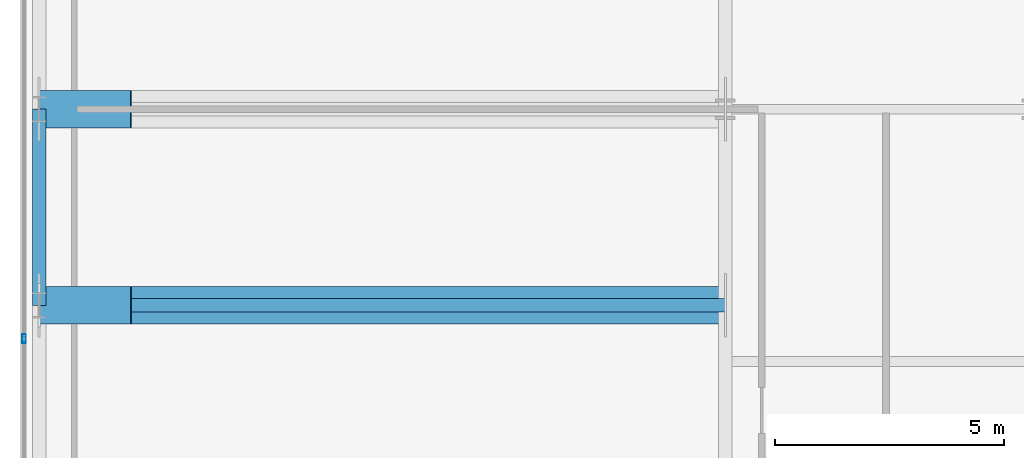
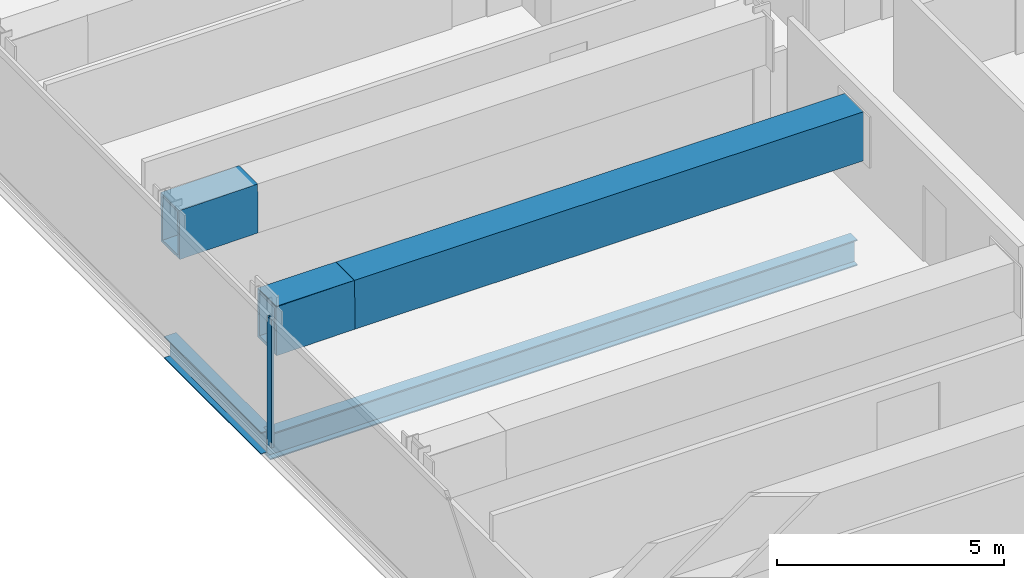
# One storey, part 10 of 30: 5 beams, 1 member, 1 element without a shape of its own.
"""IFC4 building model written with IfcOpenShell, lengths in metres."""

from ifc_helpers import new_model, si_unit, direction, frame, origin, origin_2d, place, context, subcontext, project, spatial, hollow_rectangle, i_section, extrude, material, material_profile, profile_set, type_object, element, aggregate, save


model = new_model("IFC4")

# Units and contexts
model_context = context("Model", 3, precision=1e-05, world=origin(), true_north=direction((0.0, 1.0)))
body_context = subcontext(model_context, "Body", "Model", "MODEL_VIEW")
ifc_project = project(units=[si_unit("LENGTHUNIT", "METRE"), si_unit("AREAUNIT", "SQUARE_METRE"), si_unit("VOLUMEUNIT", "CUBIC_METRE"), si_unit("PLANEANGLEUNIT", "RADIAN"), si_unit("MASSUNIT", "GRAM", prefix="KILO")], contexts=[model_context])

# Site, building, storey
site_placement = place(None, origin())
site = spatial("IfcSite", under=ifc_project, at=site_placement, CompositionType="ELEMENT")
building_placement = place(site_placement, origin())
building = spatial("IfcBuilding", under=site, at=building_placement, Name="Khoronbel Lancet Exchange", CompositionType="ELEMENT")
storey_placement = place(building_placement, frame((0.0, 0.0, 132.60009765625)))
storey = spatial("IfcBuildingStorey", under=building, at=storey_placement, Name="L32", CompositionType="ELEMENT", Elevation=132.60009765625)

# Beams
ifc_material_1 = material(Name="Steel S355", Category="steel")
ifc_material_profile_1 = material_profile(ifc_material_1, i_section(OverallWidth=0.300048828125, OverallDepth=0.699951171875, WebThickness=0.01708984375, FlangeThickness=0.031982421875, at=origin_2d()), Name="HEB 700")
ifc_profile_set_1 = profile_set([ifc_material_profile_1], Name="Steel S355")
beam_type_1 = type_object("IfcBeamType", Name="BM-BG3", PredefinedType="BEAM", material=ifc_profile_set_1)
beam_1_placement = place(storey_placement, frame((3.27001953125, 31.425048828125, -0.510009765625), z_axis=(1.0, 0.0, 0.0), x_axis=(0.0, 1.0, 0.0)))
element("IfcBeam", 1, at=beam_1_placement, inside=storey, type_object=beam_type_1, Name="Level L32 west lens tie girder LG2W", PredefinedType="BEAM", context=body_context, shape_type="SweptSolid", body=[
    extrude(i_section(OverallWidth=0.300048828125, OverallDepth=0.699951171875, WebThickness=0.01708984375, FlangeThickness=0.031982421875, at=origin_2d()), origin(), (0.0, 0.0, 1.0), 14.955078125),
])
ifc_material_profile_2 = material_profile(ifc_material_1, i_section(OverallWidth=0.300048828125, OverallDepth=0.60009765625, WebThickness=0.015380859375, FlangeThickness=0.030029296875, at=origin_2d()), Name="HEB 600")
ifc_profile_set_2 = profile_set([ifc_material_profile_2], Name="Steel S355")
beam_type_2 = type_object("IfcBeamType", Name="BM-BSP2", PredefinedType="SPANDREL", material=ifc_profile_set_2)
beam_2_placement = place(storey_placement, frame((3.27001953125, 35.699951171875, -0.460205078125), z_axis=(0.0, -1.0, 0.0), x_axis=(1.0, 0.0, 0.0)))
element("IfcBeam", 2, at=beam_2_placement, inside=storey, type_object=beam_type_2, Name="Level L32 perimeter spandrel beam SP18", PredefinedType="SPANDREL", context=body_context, shape_type="SweptSolid", body=[
    extrude(i_section(OverallWidth=0.300048828125, OverallDepth=0.60009765625, WebThickness=0.015380859375, FlangeThickness=0.030029296875, at=origin_2d()), origin(), (0.0, 0.0, 1.0), 4.27490234375),
])
ifc_material_2 = material(Name="Steel S460", Category="steel")
ifc_material_profile_3 = material_profile(ifc_material_2, hollow_rectangle(XDim=0.820068359375, YDim=1.320068359375, WallThickness=0.070068359375, at=origin_2d()), Name="BOX 820x1320x70")
ifc_profile_set_3 = profile_set([ifc_material_profile_3], Name="Steel S460")
beam_type_3 = type_object("IfcBeamType", Name="BM-TG4", PredefinedType="USERDEFINED", material=ifc_profile_set_3)
for number, where, z_axis, x_axis, name in (
    (3, (3.27001953125, 31.425048828125, 2.760009765625), (0.999951120325, 0.0, 0.009887212005), (0.0, 1.0, 0.0), "Setback transfer knee-brace girder L32-WC-M"),
    (4, (3.27001953125, 35.699951171875, 2.760009765625), (0.999951120325, 0.0, 0.009887212005), (0.0, 1.0, 0.0), "Setback transfer knee-brace girder L32-WC-3"),
):
    element("IfcBeam", number, at=place(storey_placement, frame(where, z_axis=z_axis, x_axis=x_axis)), inside=storey, type_object=beam_type_3, Name=name, ObjectType="TRANSFER GIRDER", PredefinedType="USERDEFINED", context=body_context, shape_type="SweptSolid", body=[
        extrude(hollow_rectangle(XDim=0.820068359375, YDim=1.320068359375, WallThickness=0.070068359375, at=origin_2d()), origin(), (0.0, 0.0, 1.0), 2.0),
    ])
beam_3_placement = place(storey_placement, frame((3.27001953125, 31.425048828125, 2.77978515625), z_axis=(1.0, 0.0, 0.0), x_axis=(0.0, 1.0, 0.0)))
element("IfcBeam", 5, at=beam_3_placement, inside=storey, type_object=beam_type_3, Name="Lens setback S460 transfer girder L32-W3", ObjectType="TRANSFER GIRDER", PredefinedType="USERDEFINED", context=body_context, shape_type="SweptSolid", body=[
    extrude(hollow_rectangle(XDim=0.820068359375, YDim=1.320068359375, WallThickness=0.070068359375, at=origin_2d()), origin(), (0.0, 0.0, 1.0), 14.955078125),
])

# Curtain wall, member
ifc_material_3 = material(Name="Low-E Solar Control Insulating Glass", Category="glass")
curtain_wall_type = type_object("IfcCurtainWallType", Name="CW-4", PredefinedType="NOTDEFINED", material=ifc_material_3)
curtain_wall_placement = place(storey_placement, origin())
curtain_wall = element("IfcCurtainWall", 6, at=curtain_wall_placement, inside=storey, type_object=curtain_wall_type, Name="Unitised curtain wall CW-L32-E03", PredefinedType="NOTDEFINED")
ifc_material_4 = material(Name="Bronze-Anodised Aluminium 6063-T6", Category="aluminium")
ifc_material_profile_4 = material_profile(ifc_material_4, hollow_rectangle(XDim=0.074951171875, YDim=0.199951171875, WallThickness=0.0048828125, at=origin_2d()), Name="ALU MULLION 75x200")
ifc_profile_set_4 = profile_set([ifc_material_profile_4], Name="Bronze-Anodised Aluminium 6063-T6")
member_type = type_object("IfcMemberType", Name="MEM-CWM2", PredefinedType="MULLION", material=ifc_profile_set_4)
member_placement = place(storey_placement, frame((2.93994140625, 30.699951171875, 0.0), z_axis=(0.0, 0.0, 1.0), x_axis=(-1.0, 0.0, 0.0)))
member = element("IfcMember", 7, at=member_placement, type_object=member_type, Name="CW4 mullion 2", PredefinedType="MULLION", context=body_context, shape_type="SweptSolid", body=[
    extrude(hollow_rectangle(XDim=0.074951171875, YDim=0.199951171875, WallThickness=0.0048828125, at=origin_2d()), origin(), (0.0, 0.0, 1.0), 3.43994140625),
])
aggregate(curtain_wall, [member])

save(model, "model.ifc")
